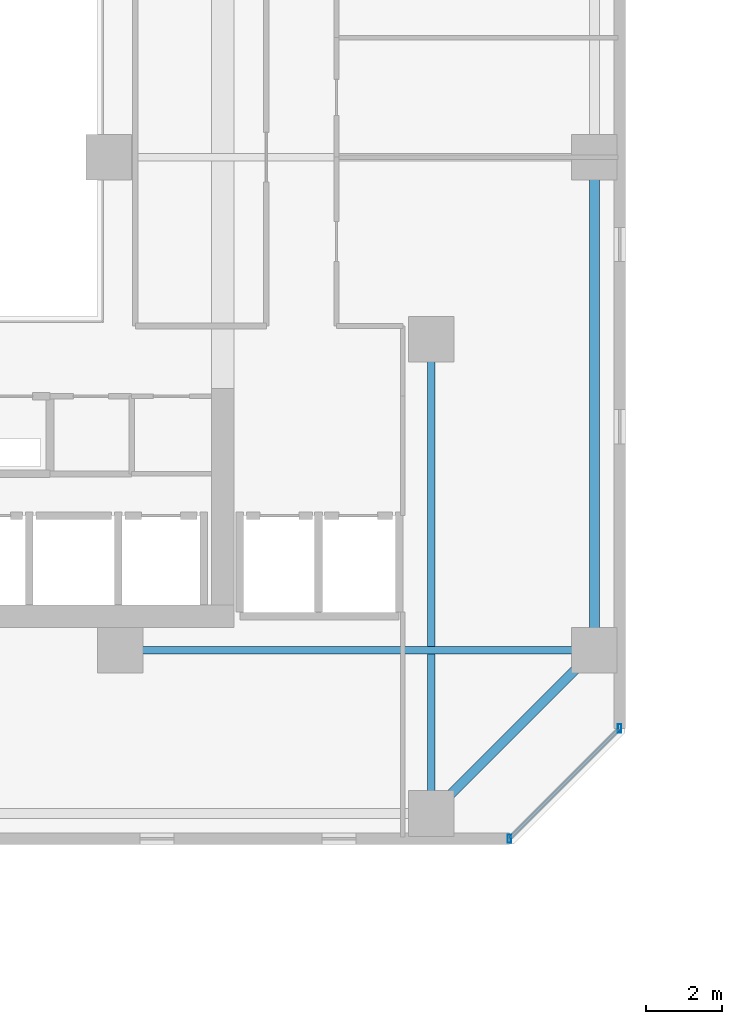
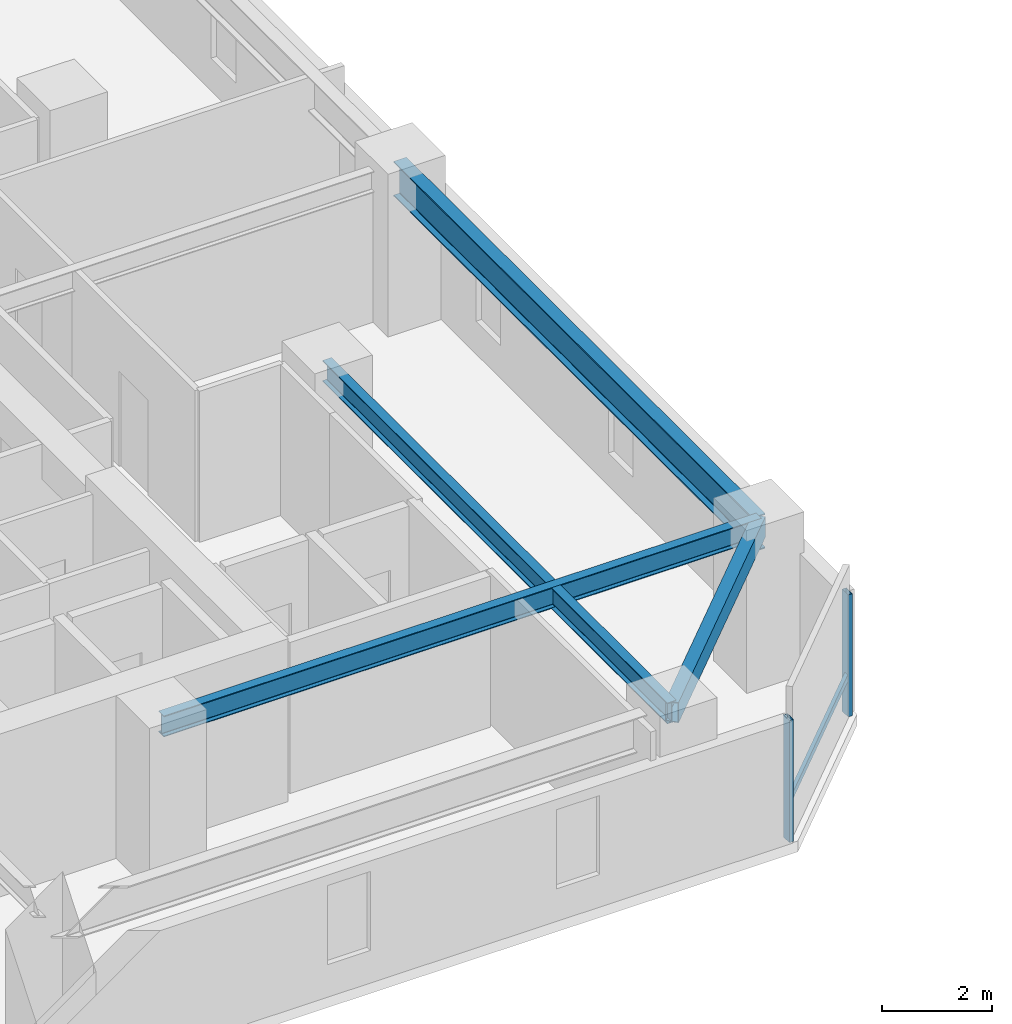
# One storey, part 5 of 33: 4 beams, 3 members, 1 element without a shape of its own.
"""IFC4 building model written with IfcOpenShell, lengths in metres."""

from ifc_helpers import new_model, si_unit, direction, frame, origin, origin_2d, place, context, subcontext, project, spatial, hollow_rectangle, i_section, extrude, material, material_profile, profile_set, type_object, element, aggregate, save


model = new_model("IFC4")

# Units and contexts
model_context = context("Model", 3, precision=1e-05, world=origin(), true_north=direction((0.0, 1.0)))
body_context = subcontext(model_context, "Body", "Model", "MODEL_VIEW")
ifc_project = project(units=[si_unit("LENGTHUNIT", "METRE"), si_unit("AREAUNIT", "SQUARE_METRE"), si_unit("VOLUMEUNIT", "CUBIC_METRE"), si_unit("PLANEANGLEUNIT", "RADIAN"), si_unit("MASSUNIT", "GRAM", prefix="KILO")], contexts=[model_context])

# Site, building, storey
site_placement = place(None, origin())
site = spatial("IfcSite", under=ifc_project, at=site_placement, CompositionType="ELEMENT")
building_placement = place(site_placement, origin())
building = spatial("IfcBuilding", under=site, at=building_placement, Name="Thornwick Lancets Civic Towers", CompositionType="ELEMENT")
storey_placement = place(building_placement, frame((0.0, 0.0, 112.5)))
storey = spatial("IfcBuildingStorey", under=building, at=storey_placement, Name="L29", CompositionType="ELEMENT", Elevation=112.5)

# Beams
ifc_material_1 = material(Name="Steel S355JR", Category="steel")
ifc_material_profile_1 = material_profile(ifc_material_1, i_section(OverallWidth=0.26806640625, OverallDepth=0.769775390625, WebThickness=0.015625, FlangeThickness=0.025390625, FilletRadius=0.0166015625, at=origin_2d()), Name="UKB 762x267x197")
ifc_profile_set_1 = profile_set([ifc_material_profile_1], Name="Steel S355JR")
beam_type_1 = type_object("IfcBeamType", Name="BM_GIRD_762_197", PredefinedType="BEAM", material=ifc_profile_set_1)
beam_1_placement = place(storey_placement, frame((42.800048828125, 14.0, 2.97509765625), z_axis=(0.0, 1.0, 0.0), x_axis=(-1.0, 0.0, 0.0)))
element("IfcBeam", 1, at=beam_1_placement, inside=storey, type_object=beam_type_1, Name="BM-SPINE-L29-A-3-4", PredefinedType="BEAM", context=body_context, shape_type="SweptSolid", body=[
    extrude(i_section(OverallWidth=0.26806640625, OverallDepth=0.769775390625, WebThickness=0.015625, FlangeThickness=0.025390625, FilletRadius=0.0166015625, at=origin_2d()), origin(), (0.0, 0.0, 1.0), 13.0),
])
ifc_material_profile_2 = material_profile(ifc_material_1, i_section(OverallWidth=0.19189453125, OverallDepth=0.46337890625, WebThickness=0.010498046875, FlangeThickness=0.017578125, FilletRadius=0.01025390625, at=origin_2d()), Name="UKB 457x191x89")
ifc_profile_set_2 = profile_set([ifc_material_profile_2], Name="Steel S355JR")
beam_type_2 = type_object("IfcBeamType", Name="BM_JOIST_457_89", PredefinedType="JOIST", material=ifc_profile_set_2)
for number, where, z_axis, x_axis, name in (
    (2, (38.5, 22.199951171875, 3.12841796875), (0.0, -1.0, 0.0), (1.0, 0.0, 0.0), "BM-RADIN-L29-A03"),
    (3, (30.300048828125, 14.0, 3.12841796875), (1.0, 0.0, 0.0), (0.0, 1.0, 0.0), "BM-RADIN-L29-A04"),
):
    element("IfcBeam", number, at=place(storey_placement, frame(where, z_axis=z_axis, x_axis=x_axis)), inside=storey, type_object=beam_type_2, Name=name, PredefinedType="JOIST", context=body_context, shape_type="SweptSolid", body=[
        extrude(i_section(OverallWidth=0.19189453125, OverallDepth=0.46337890625, WebThickness=0.010498046875, FlangeThickness=0.017578125, FilletRadius=0.01025390625, at=origin_2d()), origin(), (0.0, 0.0, 1.0), 12.5),
    ])
ifc_material_profile_3 = material_profile(ifc_material_1, hollow_rectangle(XDim=0.25, YDim=0.449951171875, WallThickness=0.01611328125, at=origin_2d()), Name="RHS 450x250x16")
ifc_profile_set_3 = profile_set([ifc_material_profile_3], Name="Steel S355JR")
beam_type_3 = type_object("IfcBeamType", Name="BM_RING_RHS450", PredefinedType="BEAM", material=ifc_profile_set_3)
beam_2_placement = place(storey_placement, frame((38.5, 9.699951171875, 3.135009765625), z_axis=(0.707106781187, 0.707106781187, 0.0), x_axis=(-0.707106781187, 0.707106781187, 0.0)))
element("IfcBeam", 4, at=beam_2_placement, inside=storey, type_object=beam_type_3, Name="BM-CHAMF-L29-A-C0", PredefinedType="BEAM", context=body_context, shape_type="SweptSolid", body=[
    extrude(hollow_rectangle(XDim=0.25, YDim=0.449951171875, WallThickness=0.01611328125, at=origin_2d()), origin(), (0.0, 0.0, 1.0), 6.081298828125),
])

# Curtain wall, members
ifc_material_2 = material(Name="Low-zone chamfered-corner unitised glass curtain wall", Category="glass")
curtain_wall_type = type_object("IfcCurtainWallType", Name="CW_SYS_03", PredefinedType="NOTDEFINED", material=ifc_material_2)
curtain_wall_placement = place(storey_placement, origin())
curtain_wall = element("IfcCurtainWall", 5, at=curtain_wall_placement, inside=storey, type_object=curtain_wall_type, Name="L29 Curtain Wall CW-L29-A-E1", PredefinedType="NOTDEFINED")
ifc_material_3 = material(Name="Thermally broken bronze aluminium S355", Category="steel")
ifc_material_profile_4 = material_profile(ifc_material_3, hollow_rectangle(XDim=0.090087890625, YDim=0.219970703125, WallThickness=0.00634765625, at=origin_2d()), Name="RHS 220x90x6.3")
ifc_profile_set_4 = profile_set([ifc_material_profile_4], Name="Thermally broken bronze aluminium S355")
member_type_1 = type_object("IfcMemberType", Name="CW_MUL_220", PredefinedType="MULLION", material=ifc_profile_set_4)
member_1_placement = place(storey_placement, frame((40.555419921875, 9.036376953125, 0.0), z_axis=(0.0, 0.0, 1.0), x_axis=(1.0, 0.0, 0.0)))
member_1 = element("IfcMember", 6, at=member_1_placement, type_object=member_type_1, Name="CW-L29-A-E1 Mullion 0", PredefinedType="MULLION", context=body_context, shape_type="SweptSolid", body=[
    extrude(hollow_rectangle(XDim=0.090087890625, YDim=0.219970703125, WallThickness=0.00634765625, at=origin_2d()), origin(), (0.0, 0.0, 1.0), 2.699951171875),
])
member_2_placement = place(storey_placement, frame((43.463623046875, 11.944580078125, 0.0), z_axis=(0.0, 0.0, 1.0), x_axis=(1.0, 0.0, 0.0)))
member_2 = element("IfcMember", 7, at=member_2_placement, type_object=member_type_1, Name="CW-L29-A-E1 Mullion 1", PredefinedType="MULLION", context=body_context, shape_type="SweptSolid", body=[
    extrude(hollow_rectangle(XDim=0.090087890625, YDim=0.219970703125, WallThickness=0.00634765625, at=origin_2d()), origin(), (0.0, 0.0, 1.0), 2.699951171875),
])
ifc_material_profile_5 = material_profile(ifc_material_3, hollow_rectangle(XDim=0.074951171875, YDim=0.14990234375, WallThickness=0.0048828125, at=origin_2d()), Name="RHS 150x75x5")
ifc_profile_set_5 = profile_set([ifc_material_profile_5], Name="Thermally broken bronze aluminium S355")
member_type_2 = type_object("IfcMemberType", Name="CW_TRN_150", PredefinedType="USERDEFINED", material=ifc_profile_set_5)
member_3_placement = place(storey_placement, frame((40.569580078125, 9.050537109375, 0.85009765625), z_axis=(0.707106781187, 0.707106781187, 0.0), x_axis=(-0.707106781187, 0.707106781187, 0.0)))
member_3 = element("IfcMember", 8, at=member_3_placement, type_object=member_type_2, Name="CW-L29-A-E1 Transom 0", ObjectType="TRANSOM", PredefinedType="USERDEFINED", context=body_context, shape_type="SweptSolid", body=[
    extrude(hollow_rectangle(XDim=0.074951171875, YDim=0.14990234375, WallThickness=0.0048828125, at=origin_2d()), origin(), (0.0, 0.0, 1.0), 4.07275390625),
])
aggregate(curtain_wall, [member_1, member_2, member_3])

save(model, "model.ifc")
